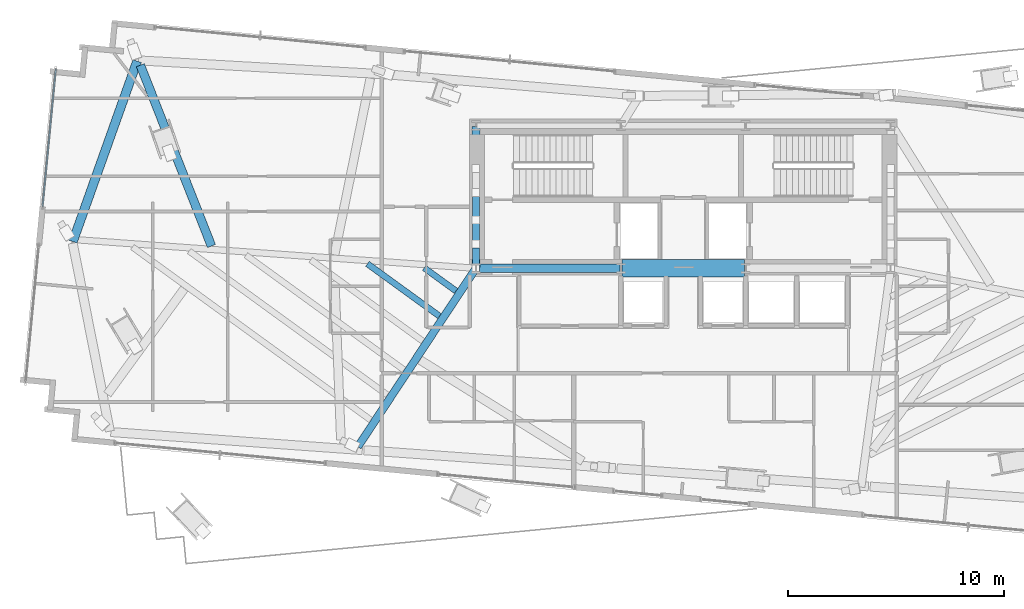
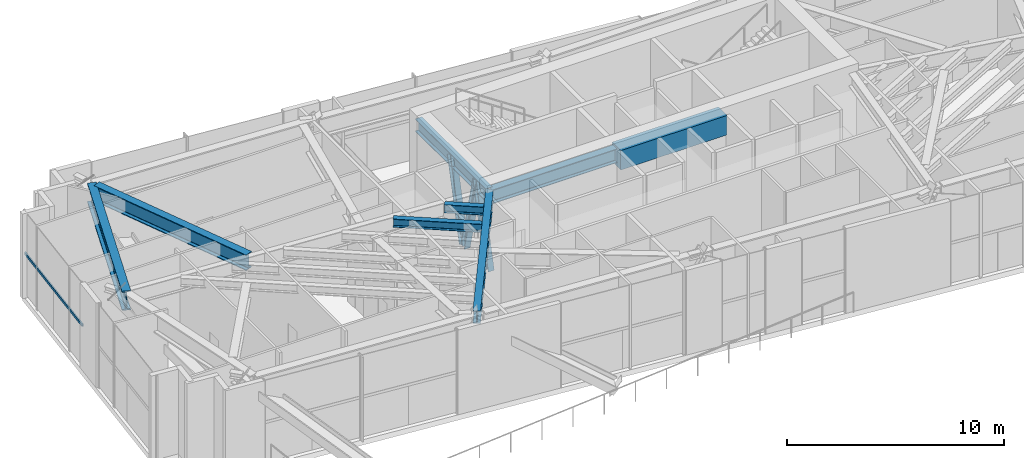
# One storey, part 6 of 23: 8 beams, 4 members, 1 element without a shape of its own.
"""IFC4 building model written with IfcOpenShell, lengths in metres."""

from ifc_helpers import new_model, si_unit, direction, frame, origin, origin_2d, place, context, subcontext, project, spatial, rectangle, hollow_rectangle, i_section, extrude, source, transform, mapped, material, material_profile, profile_set, type_object, type_shapes, element, aggregate, save


model = new_model("IFC4")

# Units and contexts
model_context = context("Model", 3, precision=1e-05, world=origin(), true_north=direction((0.0, 1.0)))
body_context = subcontext(model_context, "Body", "Model", "MODEL_VIEW")
ifc_project = project(units=[si_unit("LENGTHUNIT", "METRE"), si_unit("AREAUNIT", "SQUARE_METRE"), si_unit("VOLUMEUNIT", "CUBIC_METRE"), si_unit("PLANEANGLEUNIT", "RADIAN"), si_unit("MASSUNIT", "GRAM", prefix="KILO")], contexts=[model_context])

# Site, building, storey
site_placement = place(None, origin())
site = spatial("IfcSite", under=ifc_project, at=site_placement, CompositionType="ELEMENT")
building_placement = place(site_placement, origin())
building = spatial("IfcBuilding", under=site, at=building_placement, Name="Astriad Promenade Condominiums", CompositionType="ELEMENT")
storey_placement = place(building_placement, frame((0.0, 0.0, 119.39990234375)))
storey = spatial("IfcBuildingStorey", under=building, at=storey_placement, Name="L34", CompositionType="ELEMENT", Elevation=119.39990234375)

# Beams
ifc_material_1 = material(Name="Steel ASTM A992 Grade 50", Category="steel")
ifc_material_profile_1 = material_profile(ifc_material_1, i_section(OverallWidth=0.3837890625, OverallDepth=0.785888671875, WebThickness=0.019775390625, FlangeThickness=0.033447265625, FilletRadius=0.021484375, at=origin_2d()), Name="W30X211")
ifc_profile_set_1 = profile_set([ifc_material_profile_1], Name="Steel ASTM A992 Grade 50")
beam_type_1 = type_object("IfcBeamType", Name="STEEL FLOOR GIRDER W30X211", PredefinedType="BEAM", material=ifc_profile_set_1)
shared_shape_1 = source(origin(), body_context, "Body", "SweptSolid", [
    extrude(i_section(OverallWidth=0.3837890625, OverallDepth=0.785888671875, WebThickness=0.019775390625, FlangeThickness=0.033447265625, FilletRadius=0.021484375, at=origin_2d()), origin(), (0.0, 0.0, 1.0), 6.64013671875),
])
type_shapes(beam_type_1, [shared_shape_1])
beam_1_placement = place(storey_placement, frame((26.43994140625, 17.39990234375, 4.38720703125), z_axis=(1.0, 0.0, 0.0), x_axis=(0.0, 1.0, 0.0)))
element("IfcBeam", 1, at=beam_1_placement, inside=storey, type_object=beam_type_1, Name="Core Ring Beam CG-S1-L34", PredefinedType="BEAM", context=body_context, shape_type="MappedRepresentation", body=[
    mapped(shared_shape_1, transform((0.0, 0.0, 0.0), scale=1.0)),
])
ifc_material_2 = material(Name="Concrete C80/95", Category="concrete")
ifc_material_profile_2 = material_profile(ifc_material_2, rectangle(XDim=0.800048828125, YDim=1.10009765625, at=origin_2d()), Name="RC-BM-800X1100")
ifc_profile_set_2 = profile_set([ifc_material_profile_2], Name="Concrete C80/95")
beam_type_2 = type_object("IfcBeamType", Name="CONCRETE CORE COUPLING LINTEL 800X1100", PredefinedType="LINTEL", material=ifc_profile_set_2)
shared_shape_2 = source(origin(), body_context, "Body", "SweptSolid", [
    extrude(rectangle(XDim=0.800048828125, YDim=1.10009765625, at=origin_2d()), origin(), (0.0, 0.0, 1.0), 5.68017578125),
])
type_shapes(beam_type_2, [shared_shape_2])
beam_2_placement = place(storey_placement, frame((33.159912109375, 17.39990234375, 4.22998046875), z_axis=(1.0, 0.0, 0.0), x_axis=(0.0, 1.0, 0.0)))
element("IfcBeam", 2, at=beam_2_placement, inside=storey, type_object=beam_type_2, Name="Core Ring Beam CG-S2-L34", PredefinedType="LINTEL", context=body_context, shape_type="MappedRepresentation", body=[
    mapped(shared_shape_2, transform((0.0, 0.0, 0.0), scale=1.0)),
])
ifc_material_profile_3 = material_profile(ifc_material_1, i_section(OverallWidth=0.35791015625, OverallDepth=0.706298828125, WebThickness=0.018310546875, FlangeThickness=0.0302734375, FilletRadius=0.020263671875, at=origin_2d()), Name="W27X178")
ifc_profile_set_3 = profile_set([ifc_material_profile_3], Name="Steel ASTM A992 Grade 50")
beam_type_3 = type_object("IfcBeamType", Name="STEEL FLOOR GIRDER W27X178", PredefinedType="BEAM", material=ifc_profile_set_3)
shared_shape_3 = source(origin(), body_context, "Body", "SweptSolid", [
    extrude(i_section(OverallWidth=0.35791015625, OverallDepth=0.706298828125, WebThickness=0.018310546875, FlangeThickness=0.0302734375, FilletRadius=0.020263671875, at=origin_2d()), origin(), (0.0, 0.0, 1.0), 6.52001953125),
])
beam_3_placement = place(storey_placement, frame((26.39990234375, 17.43994140625, 4.427001953125), z_axis=(0.0, 1.0, 0.0), x_axis=(-1.0, 0.0, 0.0)))
element("IfcBeam", 3, at=beam_3_placement, inside=storey, type_object=beam_type_3, Name="Core Ring Beam CG-W1-L34", PredefinedType="BEAM", context=body_context, shape_type="MappedRepresentation", body=[
    mapped(shared_shape_3, transform((0.0, 0.0, 0.0), scale=1.0)),
])
ifc_material_profile_4 = material_profile(ifc_material_1, i_section(OverallWidth=0.4169921875, OverallDepth=1.093505859375, WebThickness=0.0390625, FlangeThickness=0.070068359375, FilletRadius=0.025390625, at=origin_2d()), Name="W40X503")
ifc_profile_set_4 = profile_set([ifc_material_profile_4], Name="Steel ASTM A992 Grade 50")
beam_type_4 = type_object("IfcBeamType", Name="STEEL TRANSFER GIRDER W40X503", PredefinedType="BEAM", material=ifc_profile_set_4)
shared_shape_4 = source(origin(), body_context, "Body", "SweptSolid", [
    extrude(i_section(OverallWidth=0.4169921875, OverallDepth=1.093505859375, WebThickness=0.0390625, FlangeThickness=0.070068359375, FilletRadius=0.025390625, at=origin_2d()), origin(), (0.0, 0.0, 1.0), 8.86669921875),
])
type_shapes(beam_type_4, [shared_shape_4])
beam_4_placement = place(storey_placement, frame((10.718994140625, 26.990234375, 4.2333984375), z_axis=(-0.335786889666, -0.941937983483, 0.0), x_axis=(0.941937983483, -0.335786889666, 0.0)))
element("IfcBeam", 4, at=beam_4_placement, inside=storey, type_object=beam_type_4, Name="Perimeter Spandrel Beam SP-W2-L34", PredefinedType="BEAM", context=body_context, shape_type="MappedRepresentation", body=[
    mapped(shared_shape_4, transform((0.0, 0.0, 0.0), scale=1.0)),
])
shared_shape_5 = source(origin(), body_context, "Body", "SweptSolid", [
    extrude(i_section(OverallWidth=0.35791015625, OverallDepth=0.706298828125, WebThickness=0.018310546875, FlangeThickness=0.0302734375, FilletRadius=0.020263671875, at=origin_2d()), origin(), (0.0, 0.0, 1.0), 9.865478515625),
])
type_shapes(beam_type_3, [shared_shape_3, shared_shape_5])
beam_5_placement = place(storey_placement, frame((20.935546875, 9.13818359375, 4.427001953125), z_axis=(0.551658338034, 0.83407018774, 0.0), x_axis=(-0.83407018774, 0.551658338034, 0.0)))
element("IfcBeam", 5, at=beam_5_placement, inside=storey, type_object=beam_type_3, Name="Primary Floor Girder PG-W2-L34", PredefinedType="BEAM", context=body_context, shape_type="MappedRepresentation", body=[
    mapped(shared_shape_5, transform((0.0, 0.0, 0.0), scale=1.0)),
])
ifc_material_profile_5 = material_profile(ifc_material_1, i_section(OverallWidth=0.283203125, OverallDepth=0.47216796875, WebThickness=0.013671875, FlangeThickness=0.022216796875, FilletRadius=0.01513671875, at=origin_2d()), Name="W18X97")
ifc_profile_set_5 = profile_set([ifc_material_profile_5], Name="Steel ASTM A992 Grade 50")
beam_type_5 = type_object("IfcBeamType", Name="STEEL FLOOR JOIST W18X97", PredefinedType="JOIST", material=ifc_profile_set_5)
shared_shape_6 = source(origin(), body_context, "Body", "SweptSolid", [
    extrude(i_section(OverallWidth=0.283203125, OverallDepth=0.47216796875, WebThickness=0.013671875, FlangeThickness=0.022216796875, FilletRadius=0.01513671875, at=origin_2d()), origin(), (0.0, 0.0, 1.0), 4.115966796875),
])
beam_6_placement = place(storey_placement, frame((21.380126953125, 17.60693359375, 4.5439453125), z_axis=(0.809171905674, -0.587571976074, 0.0), x_axis=(0.587571976074, 0.809171905674, 0.0)))
element("IfcBeam", 6, at=beam_6_placement, inside=storey, type_object=beam_type_5, Name="Secondary Composite Floor Joist JW1-5-L34", PredefinedType="JOIST", context=body_context, shape_type="MappedRepresentation", body=[
    mapped(shared_shape_6, transform((0.0, 0.0, 0.0), scale=1.0)),
])
shared_shape_7 = source(origin(), body_context, "Body", "SweptSolid", [
    extrude(i_section(OverallWidth=0.283203125, OverallDepth=0.47216796875, WebThickness=0.013671875, FlangeThickness=0.022216796875, FilletRadius=0.01513671875, at=origin_2d()), origin(), (0.0, 0.0, 1.0), 1.8203125),
])
type_shapes(beam_type_5, [shared_shape_6, shared_shape_7])
beam_7_placement = place(storey_placement, frame((24.006103515625, 17.41943359375, 4.5439453125), z_axis=(0.809159265949, -0.587589382417, 0.0), x_axis=(0.587589382417, 0.809159265949, 0.0)))
element("IfcBeam", 7, at=beam_7_placement, inside=storey, type_object=beam_type_5, Name="Secondary Composite Floor Joist JW1-6-L34", PredefinedType="JOIST", context=body_context, shape_type="MappedRepresentation", body=[
    mapped(shared_shape_7, transform((0.0, 0.0, 0.0), scale=1.0)),
])
ifc_material_profile_6 = material_profile(ifc_material_1, i_section(OverallWidth=0.4013671875, OverallDepth=0.877197265625, WebThickness=0.022216796875, FlangeThickness=0.039794921875, FilletRadius=0.02294921875, at=origin_2d()), Name="W33X263")
ifc_profile_set_6 = profile_set([ifc_material_profile_6], Name="Steel ASTM A992 Grade 50")
beam_type_6 = type_object("IfcBeamType", Name="STEEL TRANSFER CARRIER GIRDER W33X263", PredefinedType="BEAM", material=ifc_profile_set_6)
shared_shape_8 = source(origin(), body_context, "Body", "SweptSolid", [
    extrude(i_section(OverallWidth=0.4013671875, OverallDepth=0.877197265625, WebThickness=0.022216796875, FlangeThickness=0.039794921875, FilletRadius=0.02294921875, at=origin_2d()), origin(), (0.0, 0.0, 1.0), 8.99560546875),
])
type_shapes(beam_type_6, [shared_shape_8])
beam_8_placement = place(storey_placement, frame((14.157958984375, 18.430419921875, 4.341552734375), z_axis=(-0.365900067246, 0.93065414671, 0.0), x_axis=(-0.93065414671, -0.365900067246, 0.0)))
element("IfcBeam", 8, at=beam_8_placement, inside=storey, type_object=beam_type_6, Name="Transfer Splice Carrier TRM-SP-PC06-L34", PredefinedType="BEAM", context=body_context, shape_type="MappedRepresentation", body=[
    mapped(shared_shape_8, transform((0.0, 0.0, 0.0), scale=1.0)),
])

# Members
ifc_material_profile_7 = material_profile(ifc_material_1, i_section(OverallWidth=0.31494140625, OverallDepth=0.340576171875, WebThickness=0.02001953125, FlangeThickness=0.03173828125, FilletRadius=0.01513671875, at=origin_2d()), Name="W12X136")
ifc_profile_set_7 = profile_set([ifc_material_profile_7], Name="Steel ASTM A992 Grade 50")
member_type_1 = type_object("IfcMemberType", Name="STEEL TRANSFER WEB BRACE W12X136", PredefinedType="BRACE", material=ifc_profile_set_7)
shared_shape_9 = source(origin(), body_context, "Body", "SweptSolid", [
    extrude(i_section(OverallWidth=0.31494140625, OverallDepth=0.340576171875, WebThickness=0.02001953125, FlangeThickness=0.03173828125, FilletRadius=0.01513671875, at=origin_2d()), origin(), (0.0, 0.0, 1.0), 4.549072265625),
])
type_shapes(member_type_1, [shared_shape_9])
for number, where, z_axis, x_axis, name in (
    (9, (26.39990234375, 17.406005859375, 0.164306640625), (0.0, 0.243974924355, 0.969781540496), (-1.0, 0.0, 0.0), "Core Coupling Warren Brace L34-01A"),
    (10, (26.39990234375, 19.637939453125, 0.164306640625), (0.0, -0.243974924355, 0.969781540496), (1.0, 0.0, 0.0), "Core Coupling Warren Brace L34-01B"),
    (11, (26.39990234375, 19.781982421875, 0.164306640625), (0.0, 0.243974924355, 0.969781540496), (-1.0, 0.0, 0.0), "Core Coupling Warren Brace L34-02A"),
):
    element("IfcMember", number, at=place(storey_placement, frame(where, z_axis=z_axis, x_axis=x_axis)), inside=storey, type_object=member_type_1, Name=name, PredefinedType="BRACE", context=body_context, shape_type="MappedRepresentation", body=[
        mapped(shared_shape_9, transform((0.0, 0.0, 0.0), scale=1.0)),
    ])

# Curtain wall, member
ifc_material_3 = material(Name="Anodised aluminium Black Dark Glass Unitised", Category="aluminium")
curtain_wall_type = type_object("IfcCurtainWallType", Name="CW-B34-DARK", PredefinedType="USERDEFINED", material=ifc_material_3)
curtain_wall_placement = place(storey_placement, origin())
curtain_wall = element("IfcCurtainWall", 12, at=curtain_wall_placement, inside=storey, type_object=curtain_wall_type, Name="CW-L34-W-2", ObjectType="UNITISED_CURTAIN_WALL", PredefinedType="USERDEFINED")
ifc_material_4 = material(Name="Anodised aluminium 6063-T6 Black", Category="aluminium")
ifc_material_profile_8 = material_profile(ifc_material_4, hollow_rectangle(XDim=0.074951171875, YDim=0.14990234375, WallThickness=0.004150390625, at=origin_2d()), Name="ALU-TRN-75X150")
ifc_profile_set_8 = profile_set([ifc_material_profile_8], Name="Anodised aluminium 6063-T6 Black")
member_type_2 = type_object("IfcMemberType", Name="TRN-ALU-TRN-75X150", PredefinedType="USERDEFINED", material=ifc_profile_set_8)
shared_shape_10 = source(origin(), body_context, "Body", "SweptSolid", [
    extrude(hollow_rectangle(XDim=0.074951171875, YDim=0.14990234375, WallThickness=0.004150390625, at=origin_2d()), origin(), (0.0, 0.0, 1.0), 6.400146484375),
])
type_shapes(member_type_2, [shared_shape_10])
member_placement = place(storey_placement, frame((6.339111328125, 20.251953125, 2.35009765625), z_axis=(0.095824343834, 0.995398259557, 0.0), x_axis=(-0.995398259557, 0.095824343834, 0.0)))
member = element("IfcMember", 13, at=member_placement, type_object=member_type_2, Name="CW-L34-W-2-TRN-00-0", ObjectType="TRANSOM", PredefinedType="USERDEFINED", context=body_context, shape_type="MappedRepresentation", body=[
    mapped(shared_shape_10, transform((0.0, 0.0, 0.0), scale=1.0)),
])
aggregate(curtain_wall, [member])

save(model, "model.ifc")
